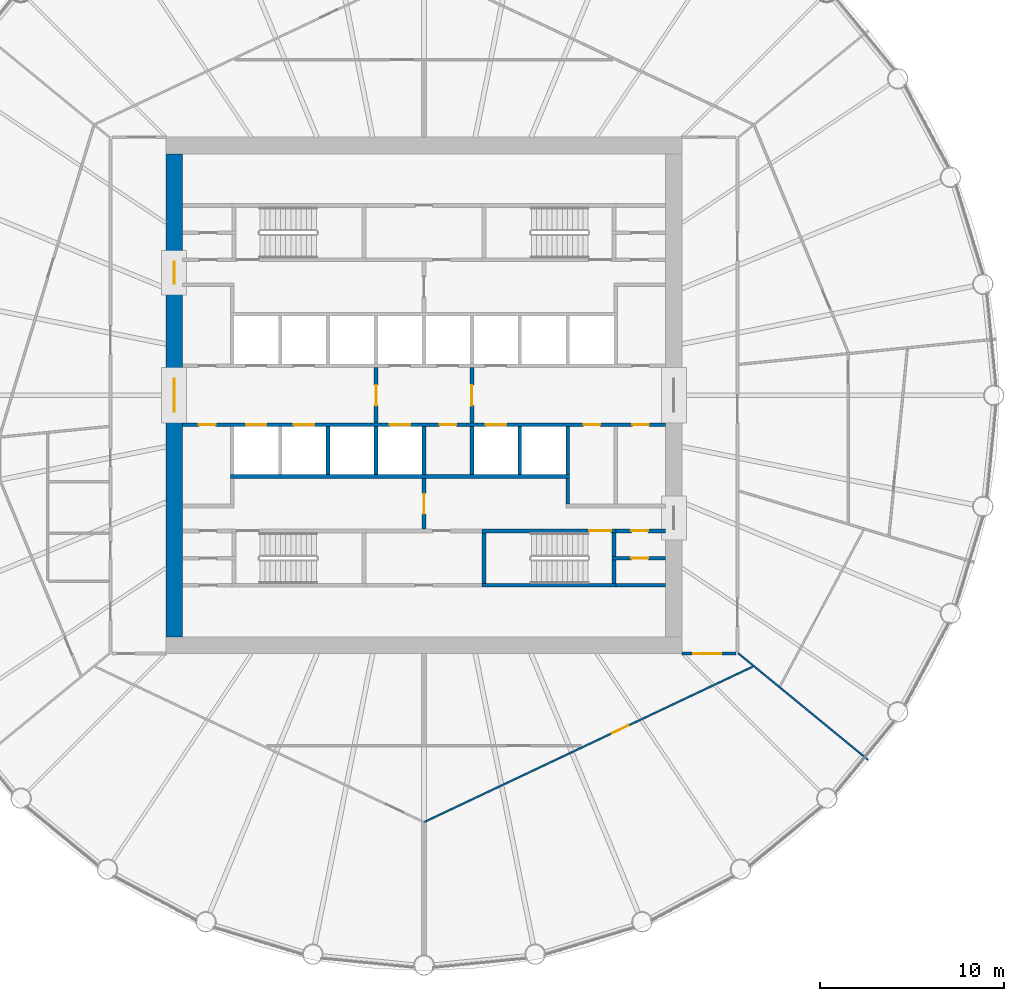
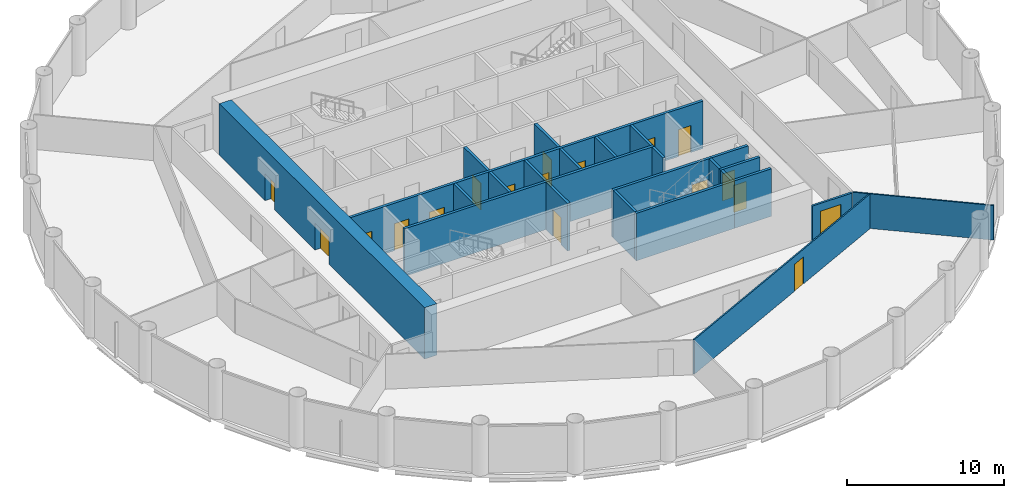
# One storey, part 5 of 9: 24 walls, 18 doors, 18 openings.
"""IFC4 building model written with IfcOpenShell, lengths in metres."""

import ifcopenshell
import ifcopenshell.guid

model = None  # the IFC model being written
_history = None  # IfcOwnerHistory: only IFC2X3 demands one
_inside = {}  # id of a spatial element -> (the spatial element, [elements in it])
_under = {}  # id of a project, library or spatial element -> (it, [spatial elements below it])
_declared = {}  # id of a project -> (the project, [libraries it declares])
_typed = {}  # id of a type object -> (the type object, [elements of that type])
_made_of = {}  # id of a material, layer set ... -> (it, [elements and type objects made of it])


def new_model(schema):
    """Start an empty IFC model of exactly this schema.

    Asked for "IFC4X3", IfcOpenShell would pick the latest addendum, in which some entities
    have other attributes; the version numbers below select the first issue.
    IFC2X3 requires an IfcOwnerHistory on every rooted entity: one is made here for all.
    """
    global model, _history
    if schema == "IFC4X3":
        model = ifcopenshell.file(schema_version=(4, 3, 0, 0))
    else:
        model = ifcopenshell.file(schema=schema)
    _inside.clear()
    _under.clear()
    _declared.clear()
    _typed.clear()
    _made_of.clear()
    _history = None
    if model.schema == "IFC2X3":
        org = make("IfcOrganization", Name="unknown")
        user = make(
            "IfcPersonAndOrganization",
            ThePerson=make("IfcPerson", FamilyName="unknown"),
            TheOrganization=org,
        )
        app = make(
            "IfcApplication",
            ApplicationDeveloper=org,
            Version="unknown",
            ApplicationFullName="unknown",
            ApplicationIdentifier="unknown",
        )
        _history = make(
            "IfcOwnerHistory",
            OwningUser=user,
            OwningApplication=app,
            ChangeAction="ADDED",
            CreationDate=0,
        )
    return model


def make(cls, **values):
    """One entity of the class cls with the attributes given. An attribute that is None is left unset."""
    return model.create_entity(
        cls, **{name: value for name, value in values.items() if value is not None}
    )


def rooted(cls, **values):
    """An entity with a GlobalId (a new one), such as an element, a storey or a relation."""
    return make(cls, GlobalId=ifcopenshell.guid.new(), OwnerHistory=_history, **values)


def si_unit(unit_type, name, prefix=None):
    """IfcSIUnit, for example si_unit("LENGTHUNIT", "METRE", prefix="MILLI")."""
    return make("IfcSIUnit", UnitType=unit_type, Prefix=prefix, Name=name)


def assignment(units):
    """IfcUnitAssignment: the units of a project."""
    return None if units is None else make("IfcUnitAssignment", Units=units)


def point(xyz):
    """IfcCartesianPoint."""
    return None if xyz is None else make("IfcCartesianPoint", Coordinates=xyz)


def direction(xyz):
    """IfcDirection."""
    return None if xyz is None else make("IfcDirection", DirectionRatios=xyz)


def frame(location, z_axis=None, x_axis=None):
    """IfcAxis2Placement3D, a coordinate frame: its origin and axes. An axis left out is left unset."""
    return make(
        "IfcAxis2Placement3D",
        Location=point(location),
        Axis=direction(z_axis),
        RefDirection=direction(x_axis),
    )


def frame_2d(location, x_axis=None):
    """IfcAxis2Placement2D, a coordinate frame in the plane: its origin and x axis."""
    return make(
        "IfcAxis2Placement2D", Location=point(location), RefDirection=direction(x_axis)
    )


def origin():
    """The frame at (0, 0, 0) with its axes left unset."""
    return frame((0.0, 0.0, 0.0))


def place(relative_to, where):
    """IfcLocalPlacement: puts the frame where relative to a parent placement (None: the world)."""
    return make(
        "IfcLocalPlacement", PlacementRelTo=relative_to, RelativePlacement=where
    )


def context(
    kind, dimensions, precision=None, world=None, true_north=None, identifier=None
):
    """IfcGeometricRepresentationContext, for example the 3D "Model" context."""
    return make(
        "IfcGeometricRepresentationContext",
        ContextIdentifier=identifier,
        ContextType=kind,
        CoordinateSpaceDimension=dimensions,
        Precision=precision,
        WorldCoordinateSystem=world,
        TrueNorth=true_north,
    )


def subcontext(parent, identifier, kind, view, scale=None):
    """IfcGeometricRepresentationSubContext, for example "Body" below "Model"."""
    return make(
        "IfcGeometricRepresentationSubContext",
        ContextIdentifier=identifier,
        ContextType=kind,
        ParentContext=parent,
        TargetScale=scale,
        TargetView=view,
    )


def project(units=None, contexts=None):
    """IfcProject with its units and contexts."""
    return rooted(
        "IfcProject",
        Name="project",
        RepresentationContexts=contexts,
        UnitsInContext=assignment(units),
    )


def spatial(cls, under=None, at=None, **own):
    """A site, building, storey or space (cls), placed at a placement, below another one or the project."""
    s = rooted(cls, ObjectPlacement=at, **own)
    if under is not None:
        _under.setdefault(under.id(), (under, []))[1].append(s)
    return s


def polyline(points):
    """IfcPolyline through the points."""
    return make("IfcPolyline", Points=[point(p) for p in points])


def profile(cls, at=None, kind="AREA", **sizes):
    """A parametric profile (cls). Its sizes go by their IFC names, for example OverallWidth=200.0."""
    return make(cls, ProfileType=kind, Position=at, **sizes)


def rectangle(**sizes):
    """IfcRectangleProfileDef."""
    return profile("IfcRectangleProfileDef", **sizes)


def outline(outer, holes=None, kind="AREA"):
    """IfcArbitraryClosedProfileDef: a profile drawn as a closed curve; with holes, ...WithVoids."""
    if holes is None:
        return make("IfcArbitraryClosedProfileDef", ProfileType=kind, OuterCurve=outer)
    return make(
        "IfcArbitraryProfileDefWithVoids",
        ProfileType=kind,
        OuterCurve=outer,
        InnerCurves=holes,
    )


def extrude(swept, where, along, depth):
    """IfcExtrudedAreaSolid: the profile swept, set in the frame where, extruded along a direction by depth."""
    return make(
        "IfcExtrudedAreaSolid",
        SweptArea=swept,
        Position=where,
        ExtrudedDirection=direction(along),
        Depth=depth,
    )


def shape(context_of_items, identifier, shape_type, items):
    """IfcShapeRepresentation: the items that make up one representation, for example the "Body"."""
    return make(
        "IfcShapeRepresentation",
        ContextOfItems=context_of_items,
        RepresentationIdentifier=identifier,
        RepresentationType=shape_type,
        Items=items,
    )


def material(Name=None, Category=None):
    """IfcMaterial."""
    return make("IfcMaterial", Name=Name, Category=Category)


def layer(
    of_material, thickness, ventilated=None, Name=None, Category=None, Priority=None
):
    """IfcMaterialLayer: one layer of a wall or slab, of a material (None: an air gap)."""
    return make(
        "IfcMaterialLayer",
        Material=of_material,
        LayerThickness=thickness,
        IsVentilated=ventilated,
        Name=Name,
        Category=Category,
        Priority=Priority,
    )


def layer_set(layers, Name=None):
    """IfcMaterialLayerSet."""
    return make("IfcMaterialLayerSet", MaterialLayers=layers, LayerSetName=Name)


def made_of(thing, what):
    """Note that an element or type object is made of a material, layer set ...; save() writes the relation."""
    if what is not None:
        _made_of.setdefault(what.id(), (what, []))[1].append(thing)
    return thing


def type_object(cls, material=None, **own):
    """A type object (cls), such as IfcWallType, which elements share."""
    return made_of(rooted(cls, **own), material)


def element(
    cls,
    number,
    at=None,
    inside=None,
    cuts=None,
    type_object=None,
    material=None,
    context=None,
    identifier="Body",
    shape_type=None,
    held_by="IfcProductDefinitionShape",
    body=None,
    shapes=None,
    **own,
):
    """One element of the class cls, such as IfcWall. Its Tag is "e" and its number.

    at: its placement. inside: the storey or other place that contains it. cuts: it is an
    opening in that element (IfcRelVoidsElement). A single representation is given by context,
    identifier, shape_type and body (its items); several are given by shapes. held_by: the class
    of the entity that holds the representations. save() writes the other relations.
    """
    e = rooted(cls, Tag="e%d" % number, ObjectPlacement=at, **own)
    if body is not None:
        shapes = [shape(context, identifier, shape_type, body)]
    if shapes is not None:
        e.Representation = make(held_by, Representations=shapes)
    if inside is not None:
        _inside.setdefault(inside.id(), (inside, []))[1].append(e)
    if cuts is not None:
        rooted(
            "IfcRelVoidsElement", RelatingBuildingElement=cuts, RelatedOpeningElement=e
        )
    if type_object is not None:
        _typed.setdefault(type_object.id(), (type_object, []))[1].append(e)
    return made_of(e, material)


def fill(opening, filler):
    """IfcRelFillsElement: the door or window that sits in an opening."""
    return rooted(
        "IfcRelFillsElement",
        RelatingOpeningElement=opening,
        RelatedBuildingElement=filler,
    )


def aggregate(whole, parts):
    """IfcRelAggregates: a whole, such as a stair, and the parts it consists of."""
    return rooted("IfcRelAggregates", RelatingObject=whole, RelatedObjects=parts)


def save(model, path):
    """Write the relations noted so far, then the file.

    IfcRelAggregates (storeys below a building ...), IfcRelContainedInSpatialStructure (elements
    in a storey), IfcRelDefinesByType, IfcRelAssociatesMaterial and IfcRelDeclares: one each for
    every whole, place, type object, material and project.
    """
    for whole, parts in _under.values():
        aggregate(whole, parts)
    for where, things in _inside.values():
        rooted(
            "IfcRelContainedInSpatialStructure",
            RelatedElements=things,
            RelatingStructure=where,
        )
    for kind, things in _typed.values():
        rooted("IfcRelDefinesByType", RelatedObjects=things, RelatingType=kind)
    for what, things in _made_of.values():
        rooted("IfcRelAssociatesMaterial", RelatedObjects=things, RelatingMaterial=what)
    for by, libraries in _declared.values():
        rooted("IfcRelDeclares", RelatingContext=by, RelatedDefinitions=libraries)
    model.write(path)


model = new_model("IFC4")

# Units and contexts
model_context = context("Model", 3, precision=1e-05, world=origin(), true_north=direction((0.0, 1.0)))
body_context = subcontext(model_context, "Body", "Model", "MODEL_VIEW")
ifc_project = project(units=[si_unit("LENGTHUNIT", "METRE"), si_unit("AREAUNIT", "SQUARE_METRE"), si_unit("VOLUMEUNIT", "CUBIC_METRE"), si_unit("PLANEANGLEUNIT", "RADIAN"), si_unit("MASSUNIT", "GRAM", prefix="KILO")], contexts=[model_context])

# Site, building, storey
site_placement = place(None, origin())
site = spatial("IfcSite", under=ifc_project, at=site_placement, CompositionType="ELEMENT")
building_placement = place(site_placement, origin())
building = spatial("IfcBuilding", under=site, at=building_placement, Name="Corvane Civic Tower", CompositionType="ELEMENT")
storey_placement = place(building_placement, frame((0.0, 0.0, 172.0)))
storey = spatial("IfcBuildingStorey", under=building, at=storey_placement, Name="L40", CompositionType="ELEMENT", Elevation=172.0)

# Wall, openings, doors
ifc_material_1 = material(Name="Concrete C60/75", Category="concrete")
ifc_layer_1 = layer(ifc_material_1, 0.89990234375)
ifc_layer_set_1 = layer_set([ifc_layer_1], Name="Concrete C60/75")
wall_type_1 = type_object("IfcWallType", Name="CORE WALL 900 C60/75", PredefinedType="SHEAR", material=ifc_layer_set_1)
wall_1_placement = place(storey_placement, frame((-13.550048828125, -13.10009765625, 0.0), z_axis=(0.0, 0.0, 1.0), x_axis=(0.0, 1.0, 0.0)))
wall_1 = element("IfcWall", 1, at=wall_1_placement, inside=storey, type_object=wall_type_1, Name="W-L40-core-W", PredefinedType="SHEAR", context=body_context, shape_type="SweptSolid", body=[
    extrude(rectangle(XDim=26.2001953125, YDim=0.89990234375, at=frame_2d((13.10009765625, 0.0))), origin(), (0.0, 0.0, 1.0), 4.0),
])
opening_1_placement = place(wall_1_placement, frame((12.199951171875, 0.0, 0.0)))
opening_1 = element("IfcOpeningElement", 2, at=opening_1_placement, cuts=wall_1, Name="Opening L40.C28", PredefinedType="OPENING", context=body_context, shape_type="SweptSolid", body=[
    extrude(rectangle(XDim=1.800048828125, YDim=2.10009765625, at=frame_2d((0.89990234375, 1.050048828125))), frame((0.0, 0.4599609375, 0.0), z_axis=(0.0, -1.0, 0.0), x_axis=(1.0, 0.0, 0.0)), (0.0, 0.0, 1.0), 0.919921875),
])
opening_2_placement = place(wall_1_placement, frame((19.14990234375, 0.0, 0.0)))
opening_2 = element("IfcOpeningElement", 3, at=opening_2_placement, cuts=wall_1, Name="Opening L40.C30", PredefinedType="OPENING", context=body_context, shape_type="SweptSolid", body=[
    extrude(rectangle(XDim=1.199951171875, YDim=2.10009765625, at=frame_2d((0.60009765625, 1.050048828125))), frame((0.0, 0.4599609375, 0.0), z_axis=(0.0, -1.0, 0.0), x_axis=(1.0, 0.0, 0.0)), (0.0, 0.0, 1.0), 0.919921875),
])
ifc_material_2 = material(Name="Steel fire door leaf", Category="steel")
door_type_1 = type_object("IfcDoorType", Name="CR-DOOR-CORE-1800", OperationType="DOUBLE_DOOR_SINGLE_SWING", PredefinedType="DOOR", material=ifc_material_2)
door_1_placement = place(opening_1_placement, origin())
door_1 = element("IfcDoor", 4, at=door_1_placement, inside=storey, type_object=door_type_1, Name="L40 door", OperationType="DOUBLE_DOOR_SINGLE_SWING", OverallHeight=2.10009765625, OverallWidth=1.800048828125, PredefinedType="DOOR", context=body_context, shape_type="SweptSolid", body=[
    extrude(rectangle(XDim=1.800048828125, YDim=2.10009765625, at=frame_2d((0.89990234375, 1.050048828125))), frame((0.0, 0.02490234375, 0.0), z_axis=(0.0, -1.0, 0.0), x_axis=(1.0, 0.0, 0.0)), (0.0, 0.0, 1.0), 0.050048828125),
])
fill(opening_1, door_1)
door_2_placement = place(opening_2_placement, origin())
door_2 = element("IfcDoor", 5, at=door_2_placement, inside=storey, type_object=door_type_1, Name="L40 door", OperationType="DOUBLE_DOOR_SINGLE_SWING", OverallHeight=2.10009765625, OverallWidth=1.199951171875, PredefinedType="DOOR", context=body_context, shape_type="SweptSolid", body=[
    extrude(rectangle(XDim=1.199951171875, YDim=2.10009765625, at=frame_2d((0.60009765625, 1.050048828125))), frame((0.0, 0.02490234375, 0.0), z_axis=(0.0, -1.0, 0.0), x_axis=(1.0, 0.0, 0.0)), (0.0, 0.0, 1.0), 0.050048828125),
])
fill(opening_2, door_2)

# Wall, opening, door
ifc_material_3 = material(Name="Concrete C30/37", Category="concrete")
ifc_layer_2 = layer(ifc_material_3, 0.199951171875)
ifc_layer_set_2 = layer_set([ifc_layer_2], Name="Concrete C30/37")
wall_type_2 = type_object("IfcWallType", Name="CR-WALL-200", PredefinedType="PARTITIONING", material=ifc_layer_set_2)
wall_2_placement = place(storey_placement, frame((10.199951171875, -8.824951171875, 0.0), z_axis=(0.0, 0.0, 1.0), x_axis=(1.0, 0.0, 0.0)))
wall_2 = element("IfcWall", 6, at=wall_2_placement, inside=storey, type_object=wall_type_2, Name="L40 partition wall", PredefinedType="PARTITIONING", context=body_context, shape_type="SweptSolid", body=[
    extrude(rectangle(XDim=2.900146484375, YDim=0.199951171875, at=frame_2d((1.4501953125, 0.0))), origin(), (0.0, 0.0, 1.0), 3.699951171875),
])
opening_3_placement = place(wall_2_placement, frame((1.050048828125, 0.0, 0.0)))
opening_3 = element("IfcOpeningElement", 7, at=opening_3_placement, cuts=wall_2, Name="Opening L40.C19", PredefinedType="OPENING", context=body_context, shape_type="SweptSolid", body=[
    extrude(rectangle(XDim=0.89990234375, YDim=2.10009765625, at=frame_2d((0.449951171875, 1.050048828125))), frame((0.0, 0.10986328125, 0.0), z_axis=(0.0, -1.0, 0.0), x_axis=(1.0, 0.0, 0.0)), (0.0, 0.0, 1.0), 0.219970703125),
])
ifc_material_4 = material(Name="Steel fire door leaf", Category="steel")
door_type_2 = type_object("IfcDoorType", Name="CR-DOOR-900", OperationType="SINGLE_SWING_LEFT", PredefinedType="DOOR", material=ifc_material_4)
door_3_placement = place(opening_3_placement, origin())
door_3 = element("IfcDoor", 8, at=door_3_placement, inside=storey, type_object=door_type_2, Name="L40 door", OperationType="SINGLE_SWING_LEFT", OverallHeight=2.10009765625, OverallWidth=0.89990234375, PredefinedType="DOOR", context=body_context, shape_type="SweptSolid", body=[
    extrude(rectangle(XDim=0.89990234375, YDim=2.10009765625, at=frame_2d((0.449951171875, 1.050048828125))), frame((0.0, 0.02490234375, 0.0), z_axis=(0.0, -1.0, 0.0), x_axis=(1.0, 0.0, 0.0)), (0.0, 0.0, 1.0), 0.050048828125),
])
fill(opening_3, door_3)

wall_3_placement = place(storey_placement, frame((10.39990234375, -7.35009765625, 0.0), z_axis=(0.0, 0.0, 1.0), x_axis=(1.0, 0.0, 0.0)))
wall_3 = element("IfcWall", 9, at=wall_3_placement, inside=storey, type_object=wall_type_2, Name="L40 core partition wall", PredefinedType="PARTITIONING", context=body_context, shape_type="SweptSolid", body=[
    extrude(rectangle(XDim=2.7001953125, YDim=0.199951171875, at=frame_2d((1.35009765625, 0.0))), origin(), (0.0, 0.0, 1.0), 3.699951171875),
])
opening_4_placement = place(wall_3_placement, frame((0.85009765625, 0.0, 0.0)))
opening_4 = element("IfcOpeningElement", 10, at=opening_4_placement, cuts=wall_3, Name="Opening L40.C18", PredefinedType="OPENING", context=body_context, shape_type="SweptSolid", body=[
    extrude(rectangle(XDim=0.89990234375, YDim=2.10009765625, at=frame_2d((0.449951171875, 1.050048828125))), frame((0.0, 0.10986328125, 0.0), z_axis=(0.0, -1.0, 0.0), x_axis=(1.0, 0.0, 0.0)), (0.0, 0.0, 1.0), 0.219970703125),
])
door_4_placement = place(opening_4_placement, origin())
door_4 = element("IfcDoor", 11, at=door_4_placement, inside=storey, type_object=door_type_2, Name="L40 door", OperationType="SINGLE_SWING_LEFT", OverallHeight=2.10009765625, OverallWidth=0.89990234375, PredefinedType="DOOR", context=body_context, shape_type="SweptSolid", body=[
    extrude(rectangle(XDim=0.89990234375, YDim=2.10009765625, at=frame_2d((0.449951171875, 1.050048828125))), frame((0.0, 0.02490234375, 0.0), z_axis=(0.0, -1.0, 0.0), x_axis=(1.0, 0.0, 0.0)), (0.0, 0.0, 1.0), 0.050048828125),
])
fill(opening_4, door_4)

# Wall, openings, doors
wall_4_placement = place(storey_placement, frame((-13.10009765625, -1.60009765625, 0.0), z_axis=(0.0, 0.0, 1.0), x_axis=(1.0, 0.0, 0.0)))
wall_4 = element("IfcWall", 12, at=wall_4_placement, inside=storey, type_object=wall_type_2, Name="L40 lift shaft wall", PredefinedType="PARTITIONING", context=body_context, shape_type="SweptSolid", body=[
    extrude(rectangle(XDim=26.2001953125, YDim=0.199951171875, at=frame_2d((13.10009765625, 0.0))), origin(), (0.0, 0.0, 1.0), 3.699951171875),
])
opening_5_placement = place(wall_4_placement, frame((3.449951171875, 0.0, 0.0)))
opening_5 = element("IfcOpeningElement", 13, at=opening_5_placement, cuts=wall_4, Name="Opening LD", PredefinedType="OPENING", context=body_context, shape_type="SweptSolid", body=[
    extrude(rectangle(XDim=1.10009765625, YDim=2.10009765625, at=frame_2d((0.550048828125, 1.050048828125))), frame((0.0, 0.10986328125, 0.0), z_axis=(0.0, -1.0, 0.0), x_axis=(1.0, 0.0, 0.0)), (0.0, 0.0, 1.0), 0.219970703125),
])
opening_6_placement = place(wall_4_placement, frame((6.050048828125, 0.0, 0.0)))
opening_6 = element("IfcOpeningElement", 14, at=opening_6_placement, cuts=wall_4, Name="Opening LD", PredefinedType="OPENING", context=body_context, shape_type="SweptSolid", body=[
    extrude(rectangle(XDim=1.10009765625, YDim=2.10009765625, at=frame_2d((0.550048828125, 1.050048828125))), frame((0.0, 0.10986328125, 0.0), z_axis=(0.0, -1.0, 0.0), x_axis=(1.0, 0.0, 0.0)), (0.0, 0.0, 1.0), 0.219970703125),
])
opening_7_placement = place(wall_4_placement, frame((11.25, 0.0, 0.0)))
opening_7 = element("IfcOpeningElement", 15, at=opening_7_placement, cuts=wall_4, Name="Opening LD", PredefinedType="OPENING", context=body_context, shape_type="SweptSolid", body=[
    extrude(rectangle(XDim=1.10009765625, YDim=2.10009765625, at=frame_2d((0.550048828125, 1.050048828125))), frame((0.0, 0.10986328125, 0.0), z_axis=(0.0, -1.0, 0.0), x_axis=(1.0, 0.0, 0.0)), (0.0, 0.0, 1.0), 0.219970703125),
])
opening_8_placement = place(wall_4_placement, frame((13.949951171875, 0.0, 0.0)))
opening_8 = element("IfcOpeningElement", 16, at=opening_8_placement, cuts=wall_4, Name="Opening L40.C03", PredefinedType="OPENING", context=body_context, shape_type="SweptSolid", body=[
    extrude(rectangle(XDim=0.89990234375, YDim=2.10009765625, at=frame_2d((0.449951171875, 1.050048828125))), frame((0.0, 0.10986328125, 0.0), z_axis=(0.0, -1.0, 0.0), x_axis=(1.0, 0.0, 0.0)), (0.0, 0.0, 1.0), 0.219970703125),
])
opening_9_placement = place(wall_4_placement, frame((16.449951171875, 0.0, 0.0)))
opening_9 = element("IfcOpeningElement", 17, at=opening_9_placement, cuts=wall_4, Name="Opening LD", PredefinedType="OPENING", context=body_context, shape_type="SweptSolid", body=[
    extrude(rectangle(XDim=1.10009765625, YDim=2.10009765625, at=frame_2d((0.550048828125, 1.050048828125))), frame((0.0, 0.10986328125, 0.0), z_axis=(0.0, -1.0, 0.0), x_axis=(1.0, 0.0, 0.0)), (0.0, 0.0, 1.0), 0.219970703125),
])
opening_10_placement = place(wall_4_placement, frame((0.89990234375, 0.0, 0.0)))
opening_10 = element("IfcOpeningElement", 18, at=opening_10_placement, cuts=wall_4, Name="Opening L40.C04", PredefinedType="OPENING", context=body_context, shape_type="SweptSolid", body=[
    extrude(rectangle(XDim=0.89990234375, YDim=2.10009765625, at=frame_2d((0.449951171875, 1.050048828125))), frame((0.0, 0.10986328125, 0.0), z_axis=(0.0, -1.0, 0.0), x_axis=(1.0, 0.0, 0.0)), (0.0, 0.0, 1.0), 0.219970703125),
])
opening_11_placement = place(wall_4_placement, frame((21.75, 0.0, 0.0)))
opening_11 = element("IfcOpeningElement", 19, at=opening_11_placement, cuts=wall_4, Name="Opening L40.C05", PredefinedType="OPENING", context=body_context, shape_type="SweptSolid", body=[
    extrude(rectangle(XDim=0.89990234375, YDim=2.10009765625, at=frame_2d((0.449951171875, 1.050048828125))), frame((0.0, 0.10986328125, 0.0), z_axis=(0.0, -1.0, 0.0), x_axis=(1.0, 0.0, 0.0)), (0.0, 0.0, 1.0), 0.219970703125),
])
opening_12_placement = place(wall_4_placement, frame((24.39990234375, 0.0, 0.0)))
opening_12 = element("IfcOpeningElement", 20, at=opening_12_placement, cuts=wall_4, Name="Opening L40.C06", PredefinedType="OPENING", context=body_context, shape_type="SweptSolid", body=[
    extrude(rectangle(XDim=0.89990234375, YDim=2.10009765625, at=frame_2d((0.449951171875, 1.050048828125))), frame((0.0, 0.10986328125, 0.0), z_axis=(0.0, -1.0, 0.0), x_axis=(1.0, 0.0, 0.0)), (0.0, 0.0, 1.0), 0.219970703125),
])
door_5_placement = place(opening_8_placement, origin())
door_5 = element("IfcDoor", 21, at=door_5_placement, inside=storey, type_object=door_type_2, Name="L40 door", OperationType="SINGLE_SWING_LEFT", OverallHeight=2.10009765625, OverallWidth=0.89990234375, PredefinedType="DOOR", context=body_context, shape_type="SweptSolid", body=[
    extrude(rectangle(XDim=0.89990234375, YDim=2.10009765625, at=frame_2d((0.449951171875, 1.050048828125))), frame((0.0, 0.02490234375, 0.0), z_axis=(0.0, -1.0, 0.0), x_axis=(1.0, 0.0, 0.0)), (0.0, 0.0, 1.0), 0.050048828125),
])
fill(opening_8, door_5)
door_6_placement = place(opening_10_placement, origin())
door_6 = element("IfcDoor", 22, at=door_6_placement, inside=storey, type_object=door_type_2, Name="L40 door", OperationType="SINGLE_SWING_LEFT", OverallHeight=2.10009765625, OverallWidth=0.89990234375, PredefinedType="DOOR", context=body_context, shape_type="SweptSolid", body=[
    extrude(rectangle(XDim=0.89990234375, YDim=2.10009765625, at=frame_2d((0.449951171875, 1.050048828125))), frame((0.0, 0.02490234375, 0.0), z_axis=(0.0, -1.0, 0.0), x_axis=(1.0, 0.0, 0.0)), (0.0, 0.0, 1.0), 0.050048828125),
])
fill(opening_10, door_6)
door_7_placement = place(opening_11_placement, origin())
door_7 = element("IfcDoor", 23, at=door_7_placement, inside=storey, type_object=door_type_2, Name="L40 door", OperationType="SINGLE_SWING_LEFT", OverallHeight=2.10009765625, OverallWidth=0.89990234375, PredefinedType="DOOR", context=body_context, shape_type="SweptSolid", body=[
    extrude(rectangle(XDim=0.89990234375, YDim=2.10009765625, at=frame_2d((0.449951171875, 1.050048828125))), frame((0.0, 0.02490234375, 0.0), z_axis=(0.0, -1.0, 0.0), x_axis=(1.0, 0.0, 0.0)), (0.0, 0.0, 1.0), 0.050048828125),
])
fill(opening_11, door_7)
door_8_placement = place(opening_12_placement, origin())
door_8 = element("IfcDoor", 24, at=door_8_placement, inside=storey, type_object=door_type_2, Name="L40 door", OperationType="SINGLE_SWING_LEFT", OverallHeight=2.10009765625, OverallWidth=0.89990234375, PredefinedType="DOOR", context=body_context, shape_type="SweptSolid", body=[
    extrude(rectangle(XDim=0.89990234375, YDim=2.10009765625, at=frame_2d((0.449951171875, 1.050048828125))), frame((0.0, 0.02490234375, 0.0), z_axis=(0.0, -1.0, 0.0), x_axis=(1.0, 0.0, 0.0)), (0.0, 0.0, 1.0), 0.050048828125),
])
fill(opening_12, door_8)
ifc_material_5 = material(Name="Stainless steel 316 door leaves", Category="steel")
door_type_3 = type_object("IfcDoorType", Name="LD", OperationType="DOUBLE_DOOR_SLIDING", PredefinedType="DOOR", material=ifc_material_5)
door_9_placement = place(opening_5_placement, origin())
door_9 = element("IfcDoor", 25, at=door_9_placement, inside=storey, type_object=door_type_3, Name="L40 landing door", OperationType="DOUBLE_DOOR_SLIDING", OverallHeight=2.10009765625, OverallWidth=1.10009765625, PredefinedType="DOOR", context=body_context, shape_type="SweptSolid", body=[
    extrude(rectangle(XDim=1.10009765625, YDim=2.10009765625, at=frame_2d((0.550048828125, 1.050048828125))), frame((0.0, 0.02490234375, 0.0), z_axis=(0.0, -1.0, 0.0), x_axis=(1.0, 0.0, 0.0)), (0.0, 0.0, 1.0), 0.050048828125),
])
fill(opening_5, door_9)
door_10_placement = place(opening_6_placement, origin())
door_10 = element("IfcDoor", 26, at=door_10_placement, inside=storey, type_object=door_type_3, Name="L40 landing door", OperationType="DOUBLE_DOOR_SLIDING", OverallHeight=2.10009765625, OverallWidth=1.10009765625, PredefinedType="DOOR", context=body_context, shape_type="SweptSolid", body=[
    extrude(rectangle(XDim=1.10009765625, YDim=2.10009765625, at=frame_2d((0.550048828125, 1.050048828125))), frame((0.0, 0.02490234375, 0.0), z_axis=(0.0, -1.0, 0.0), x_axis=(1.0, 0.0, 0.0)), (0.0, 0.0, 1.0), 0.050048828125),
])
fill(opening_6, door_10)
door_11_placement = place(opening_7_placement, origin())
door_11 = element("IfcDoor", 27, at=door_11_placement, inside=storey, type_object=door_type_3, Name="L40 landing door", OperationType="DOUBLE_DOOR_SLIDING", OverallHeight=2.10009765625, OverallWidth=1.10009765625, PredefinedType="DOOR", context=body_context, shape_type="SweptSolid", body=[
    extrude(rectangle(XDim=1.10009765625, YDim=2.10009765625, at=frame_2d((0.550048828125, 1.050048828125))), frame((0.0, 0.02490234375, 0.0), z_axis=(0.0, -1.0, 0.0), x_axis=(1.0, 0.0, 0.0)), (0.0, 0.0, 1.0), 0.050048828125),
])
fill(opening_7, door_11)
door_12_placement = place(opening_9_placement, origin())
door_12 = element("IfcDoor", 28, at=door_12_placement, inside=storey, type_object=door_type_3, Name="L40 landing door", OperationType="DOUBLE_DOOR_SLIDING", OverallHeight=2.10009765625, OverallWidth=1.10009765625, PredefinedType="DOOR", context=body_context, shape_type="SweptSolid", body=[
    extrude(rectangle(XDim=1.10009765625, YDim=2.10009765625, at=frame_2d((0.550048828125, 1.050048828125))), frame((0.0, 0.02490234375, 0.0), z_axis=(0.0, -1.0, 0.0), x_axis=(1.0, 0.0, 0.0)), (0.0, 0.0, 1.0), 0.050048828125),
])
fill(opening_9, door_12)

# Wall, opening, door
wall_5_placement = place(storey_placement, frame((-2.60009765625, -1.5, 0.0), z_axis=(0.0, 0.0, 1.0), x_axis=(0.0, 1.0, 0.0)))
wall_5 = element("IfcWall", 29, at=wall_5_placement, inside=storey, type_object=wall_type_2, Name="L40 firefighting lobby wall", PredefinedType="PARTITIONING", context=body_context, shape_type="SweptSolid", body=[
    extrude(rectangle(XDim=3.0, YDim=0.199951171875, at=frame_2d((1.5, 0.0))), origin(), (0.0, 0.0, 1.0), 3.699951171875),
])
opening_13_placement = place(wall_5_placement, frame((0.949951171875, 0.0, 0.0)))
opening_13 = element("IfcOpeningElement", 30, at=opening_13_placement, cuts=wall_5, Name="Opening L40.C24", PredefinedType="OPENING", context=body_context, shape_type="SweptSolid", body=[
    extrude(rectangle(XDim=1.10009765625, YDim=2.10009765625, at=frame_2d((0.550048828125, 1.050048828125))), frame((0.0, 0.10986328125, 0.0), z_axis=(0.0, -1.0, 0.0), x_axis=(1.0, 0.0, 0.0)), (0.0, 0.0, 1.0), 0.219970703125),
])
ifc_material_6 = material(Name="Steel fire door leaf", Category="steel")
door_type_4 = type_object("IfcDoorType", Name="CR-DOOR-FFL-1100", OperationType="SINGLE_SWING_LEFT", PredefinedType="DOOR", material=ifc_material_6)
door_13_placement = place(opening_13_placement, origin())
door_13 = element("IfcDoor", 31, at=door_13_placement, inside=storey, type_object=door_type_4, Name="L40 lobby door", OperationType="SINGLE_SWING_LEFT", OverallHeight=2.10009765625, OverallWidth=1.10009765625, PredefinedType="DOOR", context=body_context, shape_type="SweptSolid", body=[
    extrude(rectangle(XDim=1.10009765625, YDim=2.10009765625, at=frame_2d((0.550048828125, 1.050048828125))), frame((0.0, 0.02490234375, 0.0), z_axis=(0.0, -1.0, 0.0), x_axis=(1.0, 0.0, 0.0)), (0.0, 0.0, 1.0), 0.050048828125),
])
fill(opening_13, door_13)

wall_6_placement = place(storey_placement, frame((0.0, -7.25, 0.0), z_axis=(0.0, 0.0, 1.0), x_axis=(0.0, 1.0, 0.0)))
wall_6 = element("IfcWall", 32, at=wall_6_placement, inside=storey, type_object=wall_type_2, Name="L40 core partition wall", PredefinedType="PARTITIONING", context=body_context, shape_type="SweptSolid", body=[
    extrude(rectangle(XDim=2.75, YDim=0.199951171875, at=frame_2d((1.375, 0.0))), origin(), (0.0, 0.0, 1.0), 3.699951171875),
])
opening_14_placement = place(wall_6_placement, frame((0.824951171875, 0.0, 0.0)))
opening_14 = element("IfcOpeningElement", 33, at=opening_14_placement, cuts=wall_6, Name="Opening L40.C27", PredefinedType="OPENING", context=body_context, shape_type="SweptSolid", body=[
    extrude(rectangle(XDim=1.10009765625, YDim=2.10009765625, at=frame_2d((0.550048828125, 1.050048828125))), frame((0.0, 0.10986328125, 0.0), z_axis=(0.0, -1.0, 0.0), x_axis=(1.0, 0.0, 0.0)), (0.0, 0.0, 1.0), 0.219970703125),
])
door_14_placement = place(opening_14_placement, origin())
door_14 = element("IfcDoor", 34, at=door_14_placement, inside=storey, type_object=door_type_4, Name="L40 lobby door", OperationType="SINGLE_SWING_LEFT", OverallHeight=2.10009765625, OverallWidth=1.10009765625, PredefinedType="DOOR", context=body_context, shape_type="SweptSolid", body=[
    extrude(rectangle(XDim=1.10009765625, YDim=2.10009765625, at=frame_2d((0.550048828125, 1.050048828125))), frame((0.0, 0.02490234375, 0.0), z_axis=(0.0, -1.0, 0.0), x_axis=(1.0, 0.0, 0.0)), (0.0, 0.0, 1.0), 0.050048828125),
])
fill(opening_14, door_14)

wall_7_placement = place(storey_placement, frame((2.60009765625, -1.5, 0.0), z_axis=(0.0, 0.0, 1.0), x_axis=(0.0, 1.0, 0.0)))
wall_7 = element("IfcWall", 35, at=wall_7_placement, inside=storey, type_object=wall_type_2, Name="L40 firefighting lobby wall", PredefinedType="PARTITIONING", context=body_context, shape_type="SweptSolid", body=[
    extrude(rectangle(XDim=3.0, YDim=0.199951171875, at=frame_2d((1.5, 0.0))), origin(), (0.0, 0.0, 1.0), 3.699951171875),
])
opening_15_placement = place(wall_7_placement, frame((0.949951171875, 0.0, 0.0)))
opening_15 = element("IfcOpeningElement", 36, at=opening_15_placement, cuts=wall_7, Name="Opening L40.C25", PredefinedType="OPENING", context=body_context, shape_type="SweptSolid", body=[
    extrude(rectangle(XDim=1.10009765625, YDim=2.10009765625, at=frame_2d((0.550048828125, 1.050048828125))), frame((0.0, 0.10986328125, 0.0), z_axis=(0.0, -1.0, 0.0), x_axis=(1.0, 0.0, 0.0)), (0.0, 0.0, 1.0), 0.219970703125),
])
door_15_placement = place(opening_15_placement, origin())
door_15 = element("IfcDoor", 37, at=door_15_placement, inside=storey, type_object=door_type_4, Name="L40 lobby door", OperationType="SINGLE_SWING_LEFT", OverallHeight=2.10009765625, OverallWidth=1.10009765625, PredefinedType="DOOR", context=body_context, shape_type="SweptSolid", body=[
    extrude(rectangle(XDim=1.10009765625, YDim=2.10009765625, at=frame_2d((0.550048828125, 1.050048828125))), frame((0.0, 0.02490234375, 0.0), z_axis=(0.0, -1.0, 0.0), x_axis=(1.0, 0.0, 0.0)), (0.0, 0.0, 1.0), 0.050048828125),
])
fill(opening_15, door_15)

# Walls
wall_8_placement = place(storey_placement, origin())
element("IfcWall", 38, at=wall_8_placement, inside=storey, type_object=wall_type_2, Name="L40 core partition wall", PredefinedType="PARTITIONING", context=body_context, shape_type="SweptSolid", body=[
    extrude(outline(polyline([(7.89990234375, -4.300048828125), (7.89990234375, -4.5), (-10.5, -4.5), (-10.5, -4.300048828125), (7.89990234375, -4.300048828125)])), origin(), (0.0, 0.0, 1.0), 3.699951171875),
])
wall_9_placement = place(storey_placement, origin())
element("IfcWall", 39, at=wall_9_placement, inside=storey, type_object=wall_type_2, Name="L40 core partition wall", PredefinedType="PARTITIONING", context=body_context, shape_type="SweptSolid", body=[
    extrude(outline(polyline([(-2.5, -1.699951171875), (-2.5, -4.2998046875), (-2.699951171875, -4.2998046875), (-2.699951171875, -1.699951171875), (-2.5, -1.699951171875)])), origin(), (0.0, 0.0, 1.0), 3.699951171875),
])
wall_10_placement = place(storey_placement, origin())
element("IfcWall", 40, at=wall_10_placement, inside=storey, type_object=wall_type_2, Name="L40 core partition wall", PredefinedType="PARTITIONING", context=body_context, shape_type="SweptSolid", body=[
    extrude(outline(polyline([(2.699951171875, -1.699951171875), (2.699951171875, -4.2998046875), (2.5, -4.2998046875), (2.5, -1.699951171875), (2.699951171875, -1.699951171875)])), origin(), (0.0, 0.0, 1.0), 3.699951171875),
])
wall_11_placement = place(storey_placement, origin())
element("IfcWall", 41, at=wall_11_placement, inside=storey, type_object=wall_type_2, Name="L40 core partition wall", PredefinedType="PARTITIONING", context=body_context, shape_type="SweptSolid", body=[
    extrude(outline(polyline([(0.10009765625, -1.699951171875), (0.10009765625, -4.2998046875), (-0.10009765625, -4.2998046875), (-0.10009765625, -1.699951171875), (0.10009765625, -1.699951171875)])), origin(), (0.0, 0.0, 1.0), 3.699951171875),
])
wall_12_placement = place(storey_placement, origin())
element("IfcWall", 42, at=wall_12_placement, inside=storey, type_object=wall_type_2, Name="L40 core partition wall", PredefinedType="PARTITIONING", context=body_context, shape_type="SweptSolid", body=[
    extrude(outline(polyline([(-5.10009765625, -1.699951171875), (-5.10009765625, -4.2998046875), (-5.300048828125, -4.2998046875), (-5.300048828125, -1.699951171875), (-5.10009765625, -1.699951171875)])), origin(), (0.0, 0.0, 1.0), 3.699951171875),
])
wall_13_placement = place(storey_placement, origin())
element("IfcWall", 43, at=wall_13_placement, inside=storey, type_object=wall_type_2, Name="L40 core partition wall", PredefinedType="PARTITIONING", context=body_context, shape_type="SweptSolid", body=[
    extrude(outline(polyline([(5.300048828125, -1.699951171875), (5.300048828125, -4.2998046875), (5.10009765625, -4.2998046875), (5.10009765625, -1.699951171875), (5.300048828125, -1.699951171875)])), origin(), (0.0, 0.0, 1.0), 3.699951171875),
])
wall_14_placement = place(storey_placement, origin())
element("IfcWall", 44, at=wall_14_placement, inside=storey, type_object=wall_type_2, Name="L40 core partition wall", PredefinedType="PARTITIONING", context=body_context, shape_type="SweptSolid", body=[
    extrude(outline(polyline([(7.89990234375, -1.699951171875), (7.89990234375, -4.2998046875), (7.699951171875, -4.2998046875), (7.699951171875, -1.699951171875), (7.89990234375, -1.699951171875)])), origin(), (0.0, 0.0, 1.0), 3.699951171875),
])
wall_15_placement = place(storey_placement, origin())
element("IfcWall", 45, at=wall_15_placement, inside=storey, type_object=wall_type_2, Name="L40 core partition wall", PredefinedType="PARTITIONING", context=body_context, shape_type="SweptSolid", body=[
    extrude(outline(polyline([(7.89990234375, -5.89990234375), (7.699951171875, -5.89990234375), (7.699951171875, -4.5), (7.89990234375, -4.5), (7.89990234375, -5.89990234375)])), origin(), (0.0, 0.0, 1.0), 3.699951171875),
])
wall_16_placement = place(storey_placement, origin())
element("IfcWall", 46, at=wall_16_placement, inside=storey, type_object=wall_type_2, Name="L40 core partition wall", PredefinedType="PARTITIONING", context=body_context, shape_type="SweptSolid", body=[
    extrude(outline(polyline([(10.39990234375, -10.39990234375), (10.39990234375, -10.199951171875), (13.10009765625, -10.199951171875), (13.10009765625, -10.39990234375), (10.39990234375, -10.39990234375)])), origin(), (0.0, 0.0, 1.0), 3.699951171875),
])

# Wall, opening, door
ifc_material_7 = material(Name="Plasterboard")
ifc_layer_3 = layer(ifc_material_7, 0.10009765625)
ifc_layer_set_3 = layer_set([ifc_layer_3], Name="Plasterboard")
wall_type_3 = type_object("IfcWallType", Name="Partition 100 plasterboard on studs", PredefinedType="PARTITIONING", material=ifc_layer_set_3)
wall_17_placement = place(storey_placement, frame((0.028564453125, -23.126953125, 0.0), z_axis=(0.0, 0.0, 1.0), x_axis=(0.903992844698, 0.427547584176, 0.0)))
wall_17 = element("IfcWall", 47, at=wall_17_placement, inside=storey, type_object=wall_type_3, Name="Partition L40.003", PredefinedType="PARTITIONING", context=body_context, shape_type="SweptSolid", body=[
    extrude(rectangle(XDim=19.677001953125, YDim=0.10009765625, at=frame_2d((9.83837890625, 0.0))), origin(), (0.0, 0.0, 1.0), 2.699951171875),
])
opening_16_placement = place(wall_17_placement, frame((11.2451171875, 0.0, 0.0)))
opening_16 = element("IfcOpeningElement", 48, at=opening_16_placement, cuts=wall_17, Name="Opening L40.006", PredefinedType="OPENING", context=body_context, shape_type="SweptSolid", body=[
    extrude(rectangle(XDim=1.0, YDim=2.10009765625, at=frame_2d((0.5, 1.050048828125))), frame((0.0, 0.06005859375, 0.0), z_axis=(0.0, -1.0, 0.0), x_axis=(1.0, 0.0, 0.0)), (0.0, 0.0, 1.0), 0.1201171875),
])
ifc_material_8 = material(Name="Timber", Category="wood")
door_type_5 = type_object("IfcDoorType", Name="Single door 1000", OperationType="NOTDEFINED", PredefinedType="DOOR", material=ifc_material_8)
door_16_placement = place(opening_16_placement, frame((1.0, 0.0, 0.0), z_axis=(0.0, 0.0, 1.0), x_axis=(-1.0, 0.0, 0.0)))
door_16 = element("IfcDoor", 49, at=door_16_placement, inside=storey, type_object=door_type_5, Name="Door L40.006", OperationType="SINGLE_SWING_RIGHT", OverallHeight=2.10009765625, OverallWidth=1.0, PredefinedType="DOOR", context=body_context, shape_type="SweptSolid", body=[
    extrude(rectangle(XDim=1.0, YDim=2.10009765625, at=frame_2d((0.5, 1.050048828125))), frame((0.0, 0.02490234375, 0.0), z_axis=(0.0, -1.0, 0.0), x_axis=(1.0, 0.0, 0.0)), (0.0, 0.0, 1.0), 0.050048828125),
])
fill(opening_16, door_16)

# Wall
wall_18_placement = place(storey_placement, frame((17.018310546875, -13.966552734375, 0.0), z_axis=(0.0, 0.0, 1.0), x_axis=(0.773006154143, -0.634398522742, 0.0)))
element("IfcWall", 50, at=wall_18_placement, inside=storey, type_object=wall_type_3, Name="Partition L40.005", PredefinedType="PARTITIONING", context=body_context, shape_type="SweptSolid", body=[
    extrude(rectangle(XDim=9.134521484375, YDim=0.10009765625, at=frame_2d((4.5673828125, 0.0))), origin(), (0.0, 0.0, 1.0), 2.699951171875),
])

# Wall, opening, door
ifc_material_9 = material(Name="Concrete C50/60", Category="concrete")
ifc_layer_4 = layer(ifc_material_9, 0.199951171875)
ifc_layer_set_4 = layer_set([ifc_layer_4], Name="Concrete C50/60")
wall_type_4 = type_object("IfcWallType", Name="ST-WALL-200", PredefinedType="SHEAR", material=ifc_layer_set_4)
wall_19_placement = place(storey_placement, frame((3.14990234375, -7.35009765625, 0.0), z_axis=(0.0, 0.0, 1.0), x_axis=(1.0, 0.0, 0.0)))
wall_19 = element("IfcWall", 51, at=wall_19_placement, inside=storey, type_object=wall_type_4, Name="L40 stair enclosure wall", PredefinedType="SHEAR", context=body_context, shape_type="SweptSolid", body=[
    extrude(rectangle(XDim=7.25, YDim=0.199951171875, at=frame_2d((3.625, 0.0))), origin(), (0.0, 0.0, 1.0), 3.699951171875),
])
opening_17_placement = place(wall_19_placement, frame((5.800048828125, 0.0, 0.0)))
opening_17 = element("IfcOpeningElement", 52, at=opening_17_placement, cuts=wall_19, Name="Opening L40.C22", PredefinedType="OPENING", context=body_context, shape_type="SweptSolid", body=[
    extrude(rectangle(XDim=1.199951171875, YDim=2.10009765625, at=frame_2d((0.60009765625, 1.050048828125))), frame((0.0, 0.10986328125, 0.0), z_axis=(0.0, -1.0, 0.0), x_axis=(1.0, 0.0, 0.0)), (0.0, 0.0, 1.0), 0.219970703125),
])
ifc_material_10 = material(Name="Steel fire door leaf", Category="steel")
door_type_6 = type_object("IfcDoorType", Name="ST-DOOR-1200", OperationType="SINGLE_SWING_RIGHT", PredefinedType="DOOR", material=ifc_material_10)
door_17_placement = place(opening_17_placement, origin())
door_17 = element("IfcDoor", 53, at=door_17_placement, inside=storey, type_object=door_type_6, Name="L40 stair door", OperationType="SINGLE_SWING_RIGHT", OverallHeight=2.10009765625, OverallWidth=1.199951171875, PredefinedType="DOOR", context=body_context, shape_type="SweptSolid", body=[
    extrude(rectangle(XDim=1.199951171875, YDim=2.10009765625, at=frame_2d((0.60009765625, 1.050048828125))), frame((0.0, 0.02490234375, 0.0), z_axis=(0.0, -1.0, 0.0), x_axis=(1.0, 0.0, 0.0)), (0.0, 0.0, 1.0), 0.050048828125),
])
fill(opening_17, door_17)

# Walls
wall_20_placement = place(storey_placement, origin())
element("IfcWall", 54, at=wall_20_placement, inside=storey, type_object=wall_type_4, Name="L40 stair enclosure wall", PredefinedType="SHEAR", context=body_context, shape_type="SweptSolid", body=[
    extrude(outline(polyline([(10.39990234375, -10.39990234375), (3.14990234375, -10.39990234375), (3.14990234375, -10.199951171875), (10.39990234375, -10.199951171875), (10.39990234375, -10.39990234375)])), origin(), (0.0, 0.0, 1.0), 3.699951171875),
])
wall_21_placement = place(storey_placement, origin())
element("IfcWall", 55, at=wall_21_placement, inside=storey, type_object=wall_type_4, Name="L40 stair enclosure wall", PredefinedType="SHEAR", context=body_context, shape_type="SweptSolid", body=[
    extrude(outline(polyline([(3.35009765625, -7.449951171875), (3.35009765625, -10.199951171875), (3.14990234375, -10.199951171875), (3.14990234375, -7.449951171875), (3.35009765625, -7.449951171875)])), origin(), (0.0, 0.0, 1.0), 3.699951171875),
])
wall_22_placement = place(storey_placement, origin())
element("IfcWall", 56, at=wall_22_placement, inside=storey, type_object=wall_type_4, Name="L40 stair enclosure wall", PredefinedType="SHEAR", context=body_context, shape_type="SweptSolid", body=[
    extrude(outline(polyline([(10.39990234375, -7.449951171875), (10.39990234375, -8.72509765625), (10.199951171875, -8.72509765625), (10.199951171875, -7.449951171875), (10.39990234375, -7.449951171875)])), origin(), (0.0, 0.0, 1.0), 3.699951171875),
])
wall_23_placement = place(storey_placement, origin())
element("IfcWall", 57, at=wall_23_placement, inside=storey, type_object=wall_type_4, Name="L40 stair enclosure wall", PredefinedType="SHEAR", context=body_context, shape_type="SweptSolid", body=[
    extrude(outline(polyline([(10.39990234375, -8.925048828125), (10.39990234375, -10.199951171875), (10.199951171875, -10.199951171875), (10.199951171875, -8.925048828125), (10.39990234375, -8.925048828125)])), origin(), (0.0, 0.0, 1.0), 3.699951171875),
])

# Wall, opening, door
ifc_material_11 = material(Name="Plasterboard")
ifc_layer_5 = layer(ifc_material_11, 0.14990234375)
ifc_layer_set_5 = layer_set([ifc_layer_5], Name="Plasterboard")
wall_type_5 = type_object("IfcWallType", Name="Tenancy wall 150 EI 60", PredefinedType="PARTITIONING", material=ifc_layer_set_5)
wall_24_placement = place(storey_placement, frame((13.989990234375, -14.0, 0.0), z_axis=(0.0, 0.0, 1.0), x_axis=(1.0, 0.0, 0.0)))
wall_24 = element("IfcWall", 58, at=wall_24_placement, inside=storey, type_object=wall_type_5, Name="Partition L40.011", PredefinedType="PARTITIONING", context=body_context, shape_type="SweptSolid", body=[
    extrude(rectangle(XDim=2.93505859375, YDim=0.14990234375, at=frame_2d((1.467529296875, 0.0))), origin(), (0.0, 0.0, 1.0), 2.699951171875),
])
opening_18_placement = place(wall_24_placement, frame((0.614990234375, 0.0, 0.0)))
opening_18 = element("IfcOpeningElement", 59, at=opening_18_placement, cuts=wall_24, Name="Opening L40.009", PredefinedType="OPENING", context=body_context, shape_type="SweptSolid", body=[
    extrude(rectangle(XDim=1.5, YDim=2.10009765625, at=frame_2d((0.75, 1.050048828125))), frame((0.0, 0.0849609375, 0.0), z_axis=(0.0, -1.0, 0.0), x_axis=(1.0, 0.0, 0.0)), (0.0, 0.0, 1.0), 0.169921875),
])
ifc_material_12 = material(Name="Steel and timber", Category="steel")
door_type_7 = type_object("IfcDoorType", Name="Fire door FD60 double 1500", OperationType="NOTDEFINED", PredefinedType="DOOR", material=ifc_material_12)
door_18_placement = place(opening_18_placement, frame((1.5, 0.0, 0.0), z_axis=(0.0, 0.0, 1.0), x_axis=(-1.0, 0.0, 0.0)))
door_18 = element("IfcDoor", 60, at=door_18_placement, inside=storey, type_object=door_type_7, Name="Door L40.009", OperationType="DOUBLE_DOOR_SINGLE_SWING", OverallHeight=2.10009765625, OverallWidth=1.5, PredefinedType="DOOR", context=body_context, shape_type="SweptSolid", body=[
    extrude(rectangle(XDim=1.5, YDim=2.10009765625, at=frame_2d((0.75, 1.050048828125))), frame((0.0, 0.02490234375, 0.0), z_axis=(0.0, -1.0, 0.0), x_axis=(1.0, 0.0, 0.0)), (0.0, 0.0, 1.0), 0.050048828125),
])
fill(opening_18, door_18)

save(model, "model.ifc")
